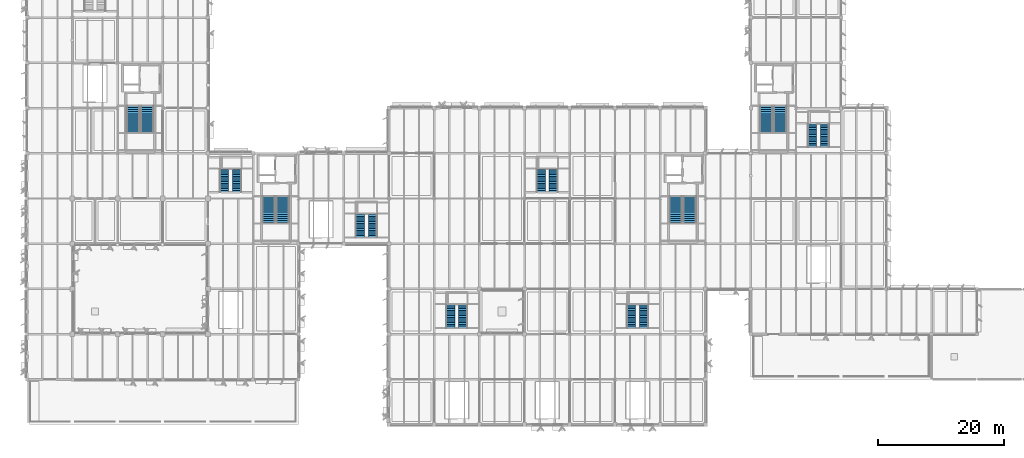
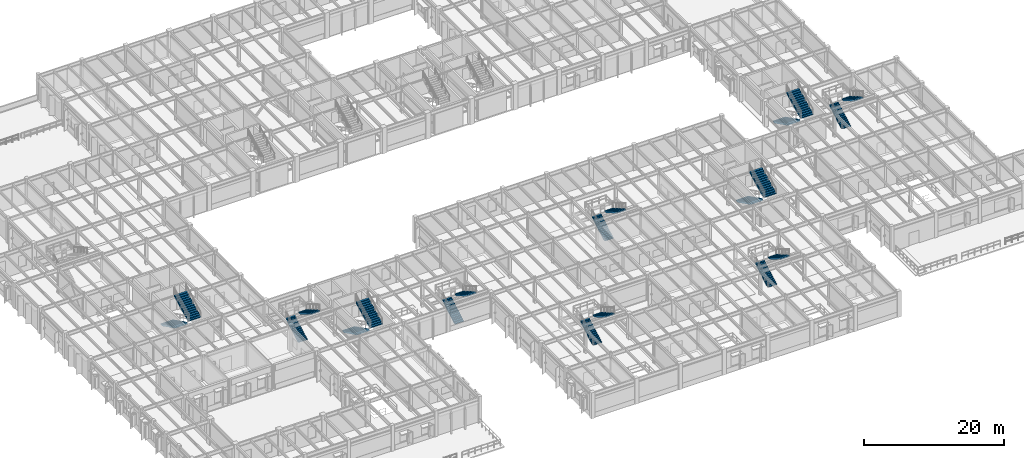
# One storey, part 43 of 92: 20 stair flights, 10 elements without a shape of their own.
"""IFC4 building model written with IfcOpenShell, lengths in metres."""

import ifcopenshell
import ifcopenshell.guid

model = None  # the IFC model being written
_history = None  # IfcOwnerHistory: only IFC2X3 demands one
_inside = {}  # id of a spatial element -> (the spatial element, [elements in it])
_under = {}  # id of a project, library or spatial element -> (it, [spatial elements below it])
_declared = {}  # id of a project -> (the project, [libraries it declares])
_typed = {}  # id of a type object -> (the type object, [elements of that type])
_made_of = {}  # id of a material, layer set ... -> (it, [elements and type objects made of it])


def new_model(schema):
    """Start an empty IFC model of exactly this schema.

    Asked for "IFC4X3", IfcOpenShell would pick the latest addendum, in which some entities
    have other attributes; the version numbers below select the first issue.
    IFC2X3 requires an IfcOwnerHistory on every rooted entity: one is made here for all.
    """
    global model, _history
    if schema == "IFC4X3":
        model = ifcopenshell.file(schema_version=(4, 3, 0, 0))
    else:
        model = ifcopenshell.file(schema=schema)
    _inside.clear()
    _under.clear()
    _declared.clear()
    _typed.clear()
    _made_of.clear()
    _history = None
    if model.schema == "IFC2X3":
        org = make("IfcOrganization", Name="unknown")
        user = make(
            "IfcPersonAndOrganization",
            ThePerson=make("IfcPerson", FamilyName="unknown"),
            TheOrganization=org,
        )
        app = make(
            "IfcApplication",
            ApplicationDeveloper=org,
            Version="unknown",
            ApplicationFullName="unknown",
            ApplicationIdentifier="unknown",
        )
        _history = make(
            "IfcOwnerHistory",
            OwningUser=user,
            OwningApplication=app,
            ChangeAction="ADDED",
            CreationDate=0,
        )
    return model


def make(cls, **values):
    """One entity of the class cls with the attributes given. An attribute that is None is left unset."""
    return model.create_entity(
        cls, **{name: value for name, value in values.items() if value is not None}
    )


def rooted(cls, **values):
    """An entity with a GlobalId (a new one), such as an element, a storey or a relation."""
    return make(cls, GlobalId=ifcopenshell.guid.new(), OwnerHistory=_history, **values)


def si_unit(unit_type, name, prefix=None):
    """IfcSIUnit, for example si_unit("LENGTHUNIT", "METRE", prefix="MILLI")."""
    return make("IfcSIUnit", UnitType=unit_type, Prefix=prefix, Name=name)


def assignment(units):
    """IfcUnitAssignment: the units of a project."""
    return None if units is None else make("IfcUnitAssignment", Units=units)


def point(xyz):
    """IfcCartesianPoint."""
    return None if xyz is None else make("IfcCartesianPoint", Coordinates=xyz)


def direction(xyz):
    """IfcDirection."""
    return None if xyz is None else make("IfcDirection", DirectionRatios=xyz)


def frame(location, z_axis=None, x_axis=None):
    """IfcAxis2Placement3D, a coordinate frame: its origin and axes. An axis left out is left unset."""
    return make(
        "IfcAxis2Placement3D",
        Location=point(location),
        Axis=direction(z_axis),
        RefDirection=direction(x_axis),
    )


def origin():
    """The frame at (0, 0, 0) with its axes left unset."""
    return frame((0.0, 0.0, 0.0))


def place(relative_to, where):
    """IfcLocalPlacement: puts the frame where relative to a parent placement (None: the world)."""
    return make(
        "IfcLocalPlacement", PlacementRelTo=relative_to, RelativePlacement=where
    )


def context(
    kind, dimensions, precision=None, world=None, true_north=None, identifier=None
):
    """IfcGeometricRepresentationContext, for example the 3D "Model" context."""
    return make(
        "IfcGeometricRepresentationContext",
        ContextIdentifier=identifier,
        ContextType=kind,
        CoordinateSpaceDimension=dimensions,
        Precision=precision,
        WorldCoordinateSystem=world,
        TrueNorth=true_north,
    )


def subcontext(parent, identifier, kind, view, scale=None):
    """IfcGeometricRepresentationSubContext, for example "Body" below "Model"."""
    return make(
        "IfcGeometricRepresentationSubContext",
        ContextIdentifier=identifier,
        ContextType=kind,
        ParentContext=parent,
        TargetScale=scale,
        TargetView=view,
    )


def project(units=None, contexts=None):
    """IfcProject with its units and contexts."""
    return rooted(
        "IfcProject",
        Name="project",
        RepresentationContexts=contexts,
        UnitsInContext=assignment(units),
    )


def spatial(cls, under=None, at=None, **own):
    """A site, building, storey or space (cls), placed at a placement, below another one or the project."""
    s = rooted(cls, ObjectPlacement=at, **own)
    if under is not None:
        _under.setdefault(under.id(), (under, []))[1].append(s)
    return s


def polyline(points):
    """IfcPolyline through the points."""
    return make("IfcPolyline", Points=[point(p) for p in points])


def outline(outer, holes=None, kind="AREA"):
    """IfcArbitraryClosedProfileDef: a profile drawn as a closed curve; with holes, ...WithVoids."""
    if holes is None:
        return make("IfcArbitraryClosedProfileDef", ProfileType=kind, OuterCurve=outer)
    return make(
        "IfcArbitraryProfileDefWithVoids",
        ProfileType=kind,
        OuterCurve=outer,
        InnerCurves=holes,
    )


def extrude(swept, where, along, depth):
    """IfcExtrudedAreaSolid: the profile swept, set in the frame where, extruded along a direction by depth."""
    return make(
        "IfcExtrudedAreaSolid",
        SweptArea=swept,
        Position=where,
        ExtrudedDirection=direction(along),
        Depth=depth,
    )


def shape(context_of_items, identifier, shape_type, items):
    """IfcShapeRepresentation: the items that make up one representation, for example the "Body"."""
    return make(
        "IfcShapeRepresentation",
        ContextOfItems=context_of_items,
        RepresentationIdentifier=identifier,
        RepresentationType=shape_type,
        Items=items,
    )


def material(Name=None, Category=None):
    """IfcMaterial."""
    return make("IfcMaterial", Name=Name, Category=Category)


def made_of(thing, what):
    """Note that an element or type object is made of a material, layer set ...; save() writes the relation."""
    if what is not None:
        _made_of.setdefault(what.id(), (what, []))[1].append(thing)
    return thing


def type_object(cls, material=None, **own):
    """A type object (cls), such as IfcWallType, which elements share."""
    return made_of(rooted(cls, **own), material)


def element(
    cls,
    number,
    at=None,
    inside=None,
    cuts=None,
    type_object=None,
    material=None,
    context=None,
    identifier="Body",
    shape_type=None,
    held_by="IfcProductDefinitionShape",
    body=None,
    shapes=None,
    **own,
):
    """One element of the class cls, such as IfcWall. Its Tag is "e" and its number.

    at: its placement. inside: the storey or other place that contains it. cuts: it is an
    opening in that element (IfcRelVoidsElement). A single representation is given by context,
    identifier, shape_type and body (its items); several are given by shapes. held_by: the class
    of the entity that holds the representations. save() writes the other relations.
    """
    e = rooted(cls, Tag="e%d" % number, ObjectPlacement=at, **own)
    if body is not None:
        shapes = [shape(context, identifier, shape_type, body)]
    if shapes is not None:
        e.Representation = make(held_by, Representations=shapes)
    if inside is not None:
        _inside.setdefault(inside.id(), (inside, []))[1].append(e)
    if cuts is not None:
        rooted(
            "IfcRelVoidsElement", RelatingBuildingElement=cuts, RelatedOpeningElement=e
        )
    if type_object is not None:
        _typed.setdefault(type_object.id(), (type_object, []))[1].append(e)
    return made_of(e, material)


def aggregate(whole, parts):
    """IfcRelAggregates: a whole, such as a stair, and the parts it consists of."""
    return rooted("IfcRelAggregates", RelatingObject=whole, RelatedObjects=parts)


def save(model, path):
    """Write the relations noted so far, then the file.

    IfcRelAggregates (storeys below a building ...), IfcRelContainedInSpatialStructure (elements
    in a storey), IfcRelDefinesByType, IfcRelAssociatesMaterial and IfcRelDeclares: one each for
    every whole, place, type object, material and project.
    """
    for whole, parts in _under.values():
        aggregate(whole, parts)
    for where, things in _inside.values():
        rooted(
            "IfcRelContainedInSpatialStructure",
            RelatedElements=things,
            RelatingStructure=where,
        )
    for kind, things in _typed.values():
        rooted("IfcRelDefinesByType", RelatedObjects=things, RelatingType=kind)
    for what, things in _made_of.values():
        rooted("IfcRelAssociatesMaterial", RelatedObjects=things, RelatingMaterial=what)
    for by, libraries in _declared.values():
        rooted("IfcRelDeclares", RelatingContext=by, RelatedDefinitions=libraries)
    model.write(path)


model = new_model("IFC4")

# Units and contexts
model_context = context("Model", 3, precision=1e-05, world=origin(), true_north=direction((0.0, 1.0)))
body_context = subcontext(model_context, "Body", "Model", "MODEL_VIEW")
ifc_project = project(units=[si_unit("LENGTHUNIT", "METRE"), si_unit("AREAUNIT", "SQUARE_METRE"), si_unit("VOLUMEUNIT", "CUBIC_METRE"), si_unit("PLANEANGLEUNIT", "RADIAN"), si_unit("MASSUNIT", "GRAM", prefix="KILO")], contexts=[model_context])

# Site, building, storey
site_placement = place(None, origin())
site = spatial("IfcSite", under=ifc_project, at=site_placement, CompositionType="ELEMENT")
building_placement = place(site_placement, origin())
building = spatial("IfcBuilding", under=site, at=building_placement, Name="Sillqori Civic Hall", CompositionType="ELEMENT")
storey_placement = place(building_placement, frame((0.0, 0.0, 5.39990234375)))
storey = spatial("IfcBuildingStorey", under=building, at=storey_placement, Name="L02", CompositionType="ELEMENT", Elevation=5.39990234375)

# Stair, stair flights
ifc_material_1 = material(Name="Concrete C35/45 (H35)", Category="concrete")
stair_type_1 = type_object("IfcStairType", Name="STR-CORE-01", PredefinedType="DOUBLE_RETURN_STAIR", material=ifc_material_1)
stair_1_placement = place(storey_placement, origin())
stair_1 = element("IfcStair", 1, at=stair_1_placement, inside=storey, type_object=stair_type_1, Name="L02 Core exit stair ST-01", PredefinedType="DOUBLE_RETURN_STAIR")
stair_flight_type_1 = type_object("IfcStairFlightType", Name="SFL-CORE-220", PredefinedType="STRAIGHT", material=ifc_material_1)
stair_flight_1_placement = place(storey_placement, frame((45.68994140625, 43.570068359375, 0.0), z_axis=(0.0, 0.0, 1.0), x_axis=(0.0, -1.0, 0.0)))
stair_flight_1 = element("IfcStairFlight", 2, at=stair_flight_1_placement, type_object=stair_flight_type_1, Name="ST-01 flight 1", NumberOfRisers=14, NumberOfTreads=13, PredefinedType="STRAIGHT", RiserHeight=0.160714286, TreadLength=0.32, context=body_context, shape_type="SweptSolid", body=[
    extrude(outline(polyline([(0.0, 0.0), (0.0, 0.16064453125), (0.320068359375, 0.16064453125), (0.320068359375, 0.321533203125), (0.639892578125, 0.321533203125), (0.639892578125, 0.482177734375), (0.9599609375, 0.482177734375), (0.9599609375, 0.642822265625), (1.280029296875, 0.642822265625), (1.280029296875, 0.803466796875), (1.60009765625, 0.803466796875), (1.60009765625, 0.96435546875), (1.919921875, 0.96435546875), (1.919921875, 1.125), (2.239990234375, 1.125), (2.239990234375, 1.28564453125), (2.56005859375, 1.28564453125), (2.56005859375, 1.446533203125), (2.8798828125, 1.446533203125), (2.8798828125, 1.607177734375), (3.199951171875, 1.607177734375), (3.199951171875, 1.767822265625), (3.52001953125, 1.767822265625), (3.52001953125, 1.928466796875), (3.840087890625, 1.928466796875), (3.840087890625, 2.08935546875), (4.159912109375, 2.08935546875), (4.159912109375, 2.25), (4.159912109375, 1.843017578125), (0.490234375, 0.0), (0.0, 0.0)])), frame((0.0, 1.030029296875, 0.0), z_axis=(0.0, -1.0, 0.0), x_axis=(1.0, 0.0, 0.0)), (0.0, 0.0, 1.0), 2.06005859375),
])
stair_flight_2_placement = place(storey_placement, frame((47.909912109375, 39.409912109375, 2.25), z_axis=(0.0, 0.0, 1.0), x_axis=(0.0, 1.0, 0.0)))
stair_flight_2 = element("IfcStairFlight", 3, at=stair_flight_2_placement, type_object=stair_flight_type_1, Name="ST-01 flight 2", NumberOfRisers=14, NumberOfTreads=13, PredefinedType="STRAIGHT", RiserHeight=0.160714286, TreadLength=0.32, context=body_context, shape_type="SweptSolid", body=[
    extrude(outline(polyline([(0.0, 0.0), (0.0, 0.16064453125), (0.320068359375, 0.16064453125), (0.320068359375, 0.321533203125), (0.639892578125, 0.321533203125), (0.639892578125, 0.482177734375), (0.9599609375, 0.482177734375), (0.9599609375, 0.642822265625), (1.280029296875, 0.642822265625), (1.280029296875, 0.803466796875), (1.60009765625, 0.803466796875), (1.60009765625, 0.96435546875), (1.919921875, 0.96435546875), (1.919921875, 1.125), (2.239990234375, 1.125), (2.239990234375, 1.28564453125), (2.56005859375, 1.28564453125), (2.56005859375, 1.446533203125), (2.8798828125, 1.446533203125), (2.8798828125, 1.607177734375), (3.199951171875, 1.607177734375), (3.199951171875, 1.767822265625), (3.52001953125, 1.767822265625), (3.52001953125, 1.928466796875), (3.840087890625, 1.928466796875), (3.840087890625, 2.08935546875), (4.159912109375, 2.08935546875), (4.159912109375, 2.25), (4.159912109375, 1.843017578125), (0.490234375, 0.0), (0.0, 0.0)])), frame((0.0, 1.030029296875, 0.0), z_axis=(0.0, -1.0, 0.0), x_axis=(1.0, 0.0, 0.0)), (0.0, 0.0, 1.0), 2.06005859375),
])
aggregate(stair_1, [stair_flight_1, stair_flight_2])

stair_type_2 = type_object("IfcStairType", Name="STR-CORE-02", PredefinedType="DOUBLE_RETURN_STAIR", material=ifc_material_1)
stair_2_placement = place(storey_placement, origin())
stair_2 = element("IfcStair", 4, at=stair_2_placement, inside=storey, type_object=stair_type_2, Name="L02 Core exit stair ST-02", PredefinedType="DOUBLE_RETURN_STAIR")
stair_flight_3_placement = place(storey_placement, frame((124.889892578125, 57.969970703125, 0.0), z_axis=(0.0, 0.0, 1.0), x_axis=(0.0, -1.0, 0.0)))
stair_flight_3 = element("IfcStairFlight", 5, at=stair_flight_3_placement, type_object=stair_flight_type_1, Name="ST-02 flight 1", NumberOfRisers=14, NumberOfTreads=13, PredefinedType="STRAIGHT", RiserHeight=0.160714286, TreadLength=0.32, context=body_context, shape_type="SweptSolid", body=[
    extrude(outline(polyline([(0.0, 0.0), (0.0, 0.16064453125), (0.320068359375, 0.16064453125), (0.320068359375, 0.321533203125), (0.639892578125, 0.321533203125), (0.639892578125, 0.482177734375), (0.9599609375, 0.482177734375), (0.9599609375, 0.642822265625), (1.280029296875, 0.642822265625), (1.280029296875, 0.803466796875), (1.60009765625, 0.803466796875), (1.60009765625, 0.96435546875), (1.919921875, 0.96435546875), (1.919921875, 1.125), (2.239990234375, 1.125), (2.239990234375, 1.28564453125), (2.56005859375, 1.28564453125), (2.56005859375, 1.446533203125), (2.8798828125, 1.446533203125), (2.8798828125, 1.607177734375), (3.199951171875, 1.607177734375), (3.199951171875, 1.767822265625), (3.52001953125, 1.767822265625), (3.52001953125, 1.928466796875), (3.840087890625, 1.928466796875), (3.840087890625, 2.08935546875), (4.159912109375, 2.08935546875), (4.159912109375, 2.25), (4.159912109375, 1.843017578125), (0.490234375, 0.0), (0.0, 0.0)])), frame((0.0, 1.030029296875, 0.0), z_axis=(0.0, -1.0, 0.0), x_axis=(1.0, 0.0, 0.0)), (0.0, 0.0, 1.0), 2.06005859375),
])
stair_flight_4_placement = place(storey_placement, frame((127.110107421875, 53.81005859375, 2.25), z_axis=(0.0, 0.0, 1.0), x_axis=(0.0, 1.0, 0.0)))
stair_flight_4 = element("IfcStairFlight", 6, at=stair_flight_4_placement, type_object=stair_flight_type_1, Name="ST-02 flight 2", NumberOfRisers=14, NumberOfTreads=13, PredefinedType="STRAIGHT", RiserHeight=0.160714286, TreadLength=0.32, context=body_context, shape_type="SweptSolid", body=[
    extrude(outline(polyline([(0.0, 0.0), (0.0, 0.16064453125), (0.320068359375, 0.16064453125), (0.320068359375, 0.321533203125), (0.639892578125, 0.321533203125), (0.639892578125, 0.482177734375), (0.9599609375, 0.482177734375), (0.9599609375, 0.642822265625), (1.280029296875, 0.642822265625), (1.280029296875, 0.803466796875), (1.60009765625, 0.803466796875), (1.60009765625, 0.96435546875), (1.919921875, 0.96435546875), (1.919921875, 1.125), (2.239990234375, 1.125), (2.239990234375, 1.28564453125), (2.56005859375, 1.28564453125), (2.56005859375, 1.446533203125), (2.8798828125, 1.446533203125), (2.8798828125, 1.607177734375), (3.199951171875, 1.607177734375), (3.199951171875, 1.767822265625), (3.52001953125, 1.767822265625), (3.52001953125, 1.928466796875), (3.840087890625, 1.928466796875), (3.840087890625, 2.08935546875), (4.159912109375, 2.08935546875), (4.159912109375, 2.25), (4.159912109375, 1.843017578125), (0.490234375, 0.0), (0.0, 0.0)])), frame((0.0, 1.030029296875, 0.0), z_axis=(0.0, -1.0, 0.0), x_axis=(1.0, 0.0, 0.0)), (0.0, 0.0, 1.0), 2.06005859375),
])
aggregate(stair_2, [stair_flight_3, stair_flight_4])

stair_type_3 = type_object("IfcStairType", Name="STR-CORE-03", PredefinedType="DOUBLE_RETURN_STAIR", material=ifc_material_1)
stair_3_placement = place(storey_placement, origin())
stair_3 = element("IfcStair", 7, at=stair_3_placement, inside=storey, type_object=stair_type_3, Name="L02 Core exit stair ST-03", PredefinedType="DOUBLE_RETURN_STAIR")
stair_flight_5_placement = place(storey_placement, frame((110.489990234375, 43.570068359375, 0.0), z_axis=(0.0, 0.0, 1.0), x_axis=(0.0, -1.0, 0.0)))
stair_flight_5 = element("IfcStairFlight", 8, at=stair_flight_5_placement, type_object=stair_flight_type_1, Name="ST-03 flight 1", NumberOfRisers=14, NumberOfTreads=13, PredefinedType="STRAIGHT", RiserHeight=0.160714286, TreadLength=0.32, context=body_context, shape_type="SweptSolid", body=[
    extrude(outline(polyline([(0.0, 0.0), (0.0, 0.16064453125), (0.320068359375, 0.16064453125), (0.320068359375, 0.321533203125), (0.639892578125, 0.321533203125), (0.639892578125, 0.482177734375), (0.9599609375, 0.482177734375), (0.9599609375, 0.642822265625), (1.280029296875, 0.642822265625), (1.280029296875, 0.803466796875), (1.60009765625, 0.803466796875), (1.60009765625, 0.96435546875), (1.919921875, 0.96435546875), (1.919921875, 1.125), (2.239990234375, 1.125), (2.239990234375, 1.28564453125), (2.56005859375, 1.28564453125), (2.56005859375, 1.446533203125), (2.8798828125, 1.446533203125), (2.8798828125, 1.607177734375), (3.199951171875, 1.607177734375), (3.199951171875, 1.767822265625), (3.52001953125, 1.767822265625), (3.52001953125, 1.928466796875), (3.840087890625, 1.928466796875), (3.840087890625, 2.08935546875), (4.159912109375, 2.08935546875), (4.159912109375, 2.25), (4.159912109375, 1.843017578125), (0.490234375, 0.0), (0.0, 0.0)])), frame((0.0, 1.030029296875, 0.0), z_axis=(0.0, -1.0, 0.0), x_axis=(1.0, 0.0, 0.0)), (0.0, 0.0, 1.0), 2.06005859375),
])
stair_flight_6_placement = place(storey_placement, frame((112.7099609375, 39.409912109375, 2.25), z_axis=(0.0, 0.0, 1.0), x_axis=(0.0, 1.0, 0.0)))
stair_flight_6 = element("IfcStairFlight", 9, at=stair_flight_6_placement, type_object=stair_flight_type_1, Name="ST-03 flight 2", NumberOfRisers=14, NumberOfTreads=13, PredefinedType="STRAIGHT", RiserHeight=0.160714286, TreadLength=0.32, context=body_context, shape_type="SweptSolid", body=[
    extrude(outline(polyline([(0.0, 0.0), (0.0, 0.16064453125), (0.320068359375, 0.16064453125), (0.320068359375, 0.321533203125), (0.639892578125, 0.321533203125), (0.639892578125, 0.482177734375), (0.9599609375, 0.482177734375), (0.9599609375, 0.642822265625), (1.280029296875, 0.642822265625), (1.280029296875, 0.803466796875), (1.60009765625, 0.803466796875), (1.60009765625, 0.96435546875), (1.919921875, 0.96435546875), (1.919921875, 1.125), (2.239990234375, 1.125), (2.239990234375, 1.28564453125), (2.56005859375, 1.28564453125), (2.56005859375, 1.446533203125), (2.8798828125, 1.446533203125), (2.8798828125, 1.607177734375), (3.199951171875, 1.607177734375), (3.199951171875, 1.767822265625), (3.52001953125, 1.767822265625), (3.52001953125, 1.928466796875), (3.840087890625, 1.928466796875), (3.840087890625, 2.08935546875), (4.159912109375, 2.08935546875), (4.159912109375, 2.25), (4.159912109375, 1.843017578125), (0.490234375, 0.0), (0.0, 0.0)])), frame((0.0, 1.030029296875, 0.0), z_axis=(0.0, -1.0, 0.0), x_axis=(1.0, 0.0, 0.0)), (0.0, 0.0, 1.0), 2.06005859375),
])
aggregate(stair_3, [stair_flight_5, stair_flight_6])

stair_type_4 = type_object("IfcStairType", Name="STR-CORE-04", PredefinedType="DOUBLE_RETURN_STAIR", material=ifc_material_1)
stair_4_placement = place(storey_placement, origin())
stair_4 = element("IfcStair", 10, at=stair_4_placement, inside=storey, type_object=stair_type_4, Name="L02 Core exit stair ST-04", PredefinedType="DOUBLE_RETURN_STAIR")
stair_flight_7_placement = place(storey_placement, frame((24.090087890625, 57.969970703125, 0.0), z_axis=(0.0, 0.0, 1.0), x_axis=(0.0, -1.0, 0.0)))
stair_flight_7 = element("IfcStairFlight", 11, at=stair_flight_7_placement, type_object=stair_flight_type_1, Name="ST-04 flight 1", NumberOfRisers=14, NumberOfTreads=13, PredefinedType="STRAIGHT", RiserHeight=0.160714286, TreadLength=0.32, context=body_context, shape_type="SweptSolid", body=[
    extrude(outline(polyline([(0.0, 0.0), (0.0, 0.16064453125), (0.320068359375, 0.16064453125), (0.320068359375, 0.321533203125), (0.639892578125, 0.321533203125), (0.639892578125, 0.482177734375), (0.9599609375, 0.482177734375), (0.9599609375, 0.642822265625), (1.280029296875, 0.642822265625), (1.280029296875, 0.803466796875), (1.60009765625, 0.803466796875), (1.60009765625, 0.96435546875), (1.919921875, 0.96435546875), (1.919921875, 1.125), (2.239990234375, 1.125), (2.239990234375, 1.28564453125), (2.56005859375, 1.28564453125), (2.56005859375, 1.446533203125), (2.8798828125, 1.446533203125), (2.8798828125, 1.607177734375), (3.199951171875, 1.607177734375), (3.199951171875, 1.767822265625), (3.52001953125, 1.767822265625), (3.52001953125, 1.928466796875), (3.840087890625, 1.928466796875), (3.840087890625, 2.08935546875), (4.159912109375, 2.08935546875), (4.159912109375, 2.25), (4.159912109375, 1.843017578125), (0.490234375, 0.0), (0.0, 0.0)])), frame((0.0, 1.030029296875, 0.0), z_axis=(0.0, -1.0, 0.0), x_axis=(1.0, 0.0, 0.0)), (0.0, 0.0, 1.0), 2.06005859375),
])
stair_flight_8_placement = place(storey_placement, frame((26.31005859375, 53.81005859375, 2.25), z_axis=(0.0, 0.0, 1.0), x_axis=(0.0, 1.0, 0.0)))
stair_flight_8 = element("IfcStairFlight", 12, at=stair_flight_8_placement, type_object=stair_flight_type_1, Name="ST-04 flight 2", NumberOfRisers=14, NumberOfTreads=13, PredefinedType="STRAIGHT", RiserHeight=0.160714286, TreadLength=0.32, context=body_context, shape_type="SweptSolid", body=[
    extrude(outline(polyline([(0.0, 0.0), (0.0, 0.16064453125), (0.320068359375, 0.16064453125), (0.320068359375, 0.321533203125), (0.639892578125, 0.321533203125), (0.639892578125, 0.482177734375), (0.9599609375, 0.482177734375), (0.9599609375, 0.642822265625), (1.280029296875, 0.642822265625), (1.280029296875, 0.803466796875), (1.60009765625, 0.803466796875), (1.60009765625, 0.96435546875), (1.919921875, 0.96435546875), (1.919921875, 1.125), (2.239990234375, 1.125), (2.239990234375, 1.28564453125), (2.56005859375, 1.28564453125), (2.56005859375, 1.446533203125), (2.8798828125, 1.446533203125), (2.8798828125, 1.607177734375), (3.199951171875, 1.607177734375), (3.199951171875, 1.767822265625), (3.52001953125, 1.767822265625), (3.52001953125, 1.928466796875), (3.840087890625, 1.928466796875), (3.840087890625, 2.08935546875), (4.159912109375, 2.08935546875), (4.159912109375, 2.25), (4.159912109375, 1.843017578125), (0.490234375, 0.0), (0.0, 0.0)])), frame((0.0, 1.030029296875, 0.0), z_axis=(0.0, -1.0, 0.0), x_axis=(1.0, 0.0, 0.0)), (0.0, 0.0, 1.0), 2.06005859375),
])
aggregate(stair_4, [stair_flight_7, stair_flight_8])

ifc_material_2 = material(Name="Steel ASTM A992 and Honed Limestone Treads", Category="masonry")
stair_type_5 = type_object("IfcStairType", Name="STR-MON-450", PredefinedType="STRAIGHT_RUN_STAIR", material=ifc_material_2)
stair_5_placement = place(storey_placement, origin())
stair_5 = element("IfcStair", 13, at=stair_5_placement, inside=storey, type_object=stair_type_5, Name="Wedge Atrium West Gallery Stair L02-L03", PredefinedType="STRAIGHT_RUN_STAIR")
stair_flight_type_2 = type_object("IfcStairFlightType", Name="SFL-MON-165", PredefinedType="STRAIGHT", material=ifc_material_1)
stair_flight_9_placement = place(storey_placement, frame((74.56494140625, 22.60009765625, 0.0), z_axis=(0.0, 0.0, 1.0), x_axis=(0.0, 1.0, 0.0)))
stair_flight_9 = element("IfcStairFlight", 14, at=stair_flight_9_placement, type_object=stair_flight_type_2, Name="MS-02 flight 1", NumberOfRisers=14, NumberOfTreads=13, PredefinedType="STRAIGHT", RiserHeight=0.160714, TreadLength=0.28, context=body_context, shape_type="SweptSolid", body=[
    extrude(outline(polyline([(0.0, 0.0), (0.0, 0.16064453125), (0.280029296875, 0.16064453125), (0.280029296875, 0.321533203125), (0.56005859375, 0.321533203125), (0.56005859375, 0.482177734375), (0.840087890625, 0.482177734375), (0.840087890625, 0.642822265625), (1.1201171875, 0.642822265625), (1.1201171875, 0.803466796875), (1.39990234375, 0.803466796875), (1.39990234375, 0.96435546875), (1.679931640625, 0.96435546875), (1.679931640625, 1.125), (1.9599609375, 1.125), (1.9599609375, 1.28564453125), (2.239990234375, 1.28564453125), (2.239990234375, 1.446533203125), (2.52001953125, 1.446533203125), (2.52001953125, 1.607177734375), (2.800048828125, 1.607177734375), (2.800048828125, 1.767822265625), (3.080078125, 1.767822265625), (3.080078125, 1.928466796875), (3.360107421875, 1.928466796875), (3.360107421875, 2.08935546875), (3.639892578125, 2.08935546875), (3.639892578125, 2.25), (3.639892578125, 1.858642578125), (0.401611328125, 0.0), (0.0, 0.0)])), frame((0.0, 0.72509765625, 0.0), z_axis=(0.0, -1.0, 0.0), x_axis=(1.0, 0.0, 0.0)), (0.0, 0.0, 1.0), 1.449951171875),
])
stair_flight_10_placement = place(storey_placement, frame((76.635009765625, 26.239990234375, 2.25), z_axis=(0.0, 0.0, 1.0), x_axis=(0.0, -1.0, 0.0)))
stair_flight_10 = element("IfcStairFlight", 15, at=stair_flight_10_placement, type_object=stair_flight_type_2, Name="MS-02 flight 2", NumberOfRisers=14, NumberOfTreads=13, PredefinedType="STRAIGHT", RiserHeight=0.160714, TreadLength=0.28, context=body_context, shape_type="SweptSolid", body=[
    extrude(outline(polyline([(0.0, 0.0), (0.0, 0.16064453125), (0.280029296875, 0.16064453125), (0.280029296875, 0.321533203125), (0.56005859375, 0.321533203125), (0.56005859375, 0.482177734375), (0.840087890625, 0.482177734375), (0.840087890625, 0.642822265625), (1.1201171875, 0.642822265625), (1.1201171875, 0.803466796875), (1.39990234375, 0.803466796875), (1.39990234375, 0.96435546875), (1.679931640625, 0.96435546875), (1.679931640625, 1.125), (1.9599609375, 1.125), (1.9599609375, 1.28564453125), (2.239990234375, 1.28564453125), (2.239990234375, 1.446533203125), (2.52001953125, 1.446533203125), (2.52001953125, 1.607177734375), (2.800048828125, 1.607177734375), (2.800048828125, 1.767822265625), (3.080078125, 1.767822265625), (3.080078125, 1.928466796875), (3.360107421875, 1.928466796875), (3.360107421875, 2.08935546875), (3.639892578125, 2.08935546875), (3.639892578125, 2.25), (3.639892578125, 1.858642578125), (0.401611328125, 0.0), (0.0, 0.0)])), frame((0.0, 0.72509765625, 0.0), z_axis=(0.0, -1.0, 0.0), x_axis=(1.0, 0.0, 0.0)), (0.0, 0.0, 1.0), 1.449951171875),
])
aggregate(stair_5, [stair_flight_9, stair_flight_10])

stair_6_placement = place(storey_placement, origin())
stair_6 = element("IfcStair", 16, at=stair_6_placement, inside=storey, type_object=stair_type_5, Name="Wedge Atrium East Gallery Stair L02-L03", PredefinedType="STRAIGHT_RUN_STAIR")
stair_flight_11_placement = place(storey_placement, frame((103.364990234375, 22.60009765625, 0.0), z_axis=(0.0, 0.0, 1.0), x_axis=(0.0, 1.0, 0.0)))
stair_flight_11 = element("IfcStairFlight", 17, at=stair_flight_11_placement, type_object=stair_flight_type_2, Name="MS-05 flight 1", NumberOfRisers=14, NumberOfTreads=13, PredefinedType="STRAIGHT", RiserHeight=0.160714, TreadLength=0.28, context=body_context, shape_type="SweptSolid", body=[
    extrude(outline(polyline([(0.0, 0.0), (0.0, 0.16064453125), (0.280029296875, 0.16064453125), (0.280029296875, 0.321533203125), (0.56005859375, 0.321533203125), (0.56005859375, 0.482177734375), (0.840087890625, 0.482177734375), (0.840087890625, 0.642822265625), (1.1201171875, 0.642822265625), (1.1201171875, 0.803466796875), (1.39990234375, 0.803466796875), (1.39990234375, 0.96435546875), (1.679931640625, 0.96435546875), (1.679931640625, 1.125), (1.9599609375, 1.125), (1.9599609375, 1.28564453125), (2.239990234375, 1.28564453125), (2.239990234375, 1.446533203125), (2.52001953125, 1.446533203125), (2.52001953125, 1.607177734375), (2.800048828125, 1.607177734375), (2.800048828125, 1.767822265625), (3.080078125, 1.767822265625), (3.080078125, 1.928466796875), (3.360107421875, 1.928466796875), (3.360107421875, 2.08935546875), (3.639892578125, 2.08935546875), (3.639892578125, 2.25), (3.639892578125, 1.858642578125), (0.401611328125, 0.0), (0.0, 0.0)])), frame((0.0, 0.72509765625, 0.0), z_axis=(0.0, -1.0, 0.0), x_axis=(1.0, 0.0, 0.0)), (0.0, 0.0, 1.0), 1.449951171875),
])
stair_flight_12_placement = place(storey_placement, frame((105.43505859375, 26.239990234375, 2.25), z_axis=(0.0, 0.0, 1.0), x_axis=(0.0, -1.0, 0.0)))
stair_flight_12 = element("IfcStairFlight", 18, at=stair_flight_12_placement, type_object=stair_flight_type_2, Name="MS-05 flight 2", NumberOfRisers=14, NumberOfTreads=13, PredefinedType="STRAIGHT", RiserHeight=0.160714, TreadLength=0.28, context=body_context, shape_type="SweptSolid", body=[
    extrude(outline(polyline([(0.0, 0.0), (0.0, 0.16064453125), (0.280029296875, 0.16064453125), (0.280029296875, 0.321533203125), (0.56005859375, 0.321533203125), (0.56005859375, 0.482177734375), (0.840087890625, 0.482177734375), (0.840087890625, 0.642822265625), (1.1201171875, 0.642822265625), (1.1201171875, 0.803466796875), (1.39990234375, 0.803466796875), (1.39990234375, 0.96435546875), (1.679931640625, 0.96435546875), (1.679931640625, 1.125), (1.9599609375, 1.125), (1.9599609375, 1.28564453125), (2.239990234375, 1.28564453125), (2.239990234375, 1.446533203125), (2.52001953125, 1.446533203125), (2.52001953125, 1.607177734375), (2.800048828125, 1.607177734375), (2.800048828125, 1.767822265625), (3.080078125, 1.767822265625), (3.080078125, 1.928466796875), (3.360107421875, 1.928466796875), (3.360107421875, 2.08935546875), (3.639892578125, 2.08935546875), (3.639892578125, 2.25), (3.639892578125, 1.858642578125), (0.401611328125, 0.0), (0.0, 0.0)])), frame((0.0, 0.72509765625, 0.0), z_axis=(0.0, -1.0, 0.0), x_axis=(1.0, 0.0, 0.0)), (0.0, 0.0, 1.0), 1.449951171875),
])
aggregate(stair_6, [stair_flight_11, stair_flight_12])

stair_7_placement = place(storey_placement, origin())
stair_7 = element("IfcStair", 19, at=stair_7_placement, inside=storey, type_object=stair_type_5, Name="Citizens Hall North Gallery Stair L02-L03", PredefinedType="STRAIGHT_RUN_STAIR")
stair_flight_13_placement = place(storey_placement, frame((88.965087890625, 44.199951171875, 0.0), z_axis=(0.0, 0.0, 1.0), x_axis=(0.0, 1.0, 0.0)))
stair_flight_13 = element("IfcStairFlight", 20, at=stair_flight_13_placement, type_object=stair_flight_type_2, Name="MS-08 flight 1", NumberOfRisers=14, NumberOfTreads=13, PredefinedType="STRAIGHT", RiserHeight=0.160714, TreadLength=0.28, context=body_context, shape_type="SweptSolid", body=[
    extrude(outline(polyline([(0.0, 0.0), (0.0, 0.16064453125), (0.280029296875, 0.16064453125), (0.280029296875, 0.321533203125), (0.56005859375, 0.321533203125), (0.56005859375, 0.482177734375), (0.840087890625, 0.482177734375), (0.840087890625, 0.642822265625), (1.1201171875, 0.642822265625), (1.1201171875, 0.803466796875), (1.39990234375, 0.803466796875), (1.39990234375, 0.96435546875), (1.679931640625, 0.96435546875), (1.679931640625, 1.125), (1.9599609375, 1.125), (1.9599609375, 1.28564453125), (2.239990234375, 1.28564453125), (2.239990234375, 1.446533203125), (2.52001953125, 1.446533203125), (2.52001953125, 1.607177734375), (2.800048828125, 1.607177734375), (2.800048828125, 1.767822265625), (3.080078125, 1.767822265625), (3.080078125, 1.928466796875), (3.360107421875, 1.928466796875), (3.360107421875, 2.08935546875), (3.639892578125, 2.08935546875), (3.639892578125, 2.25), (3.639892578125, 1.858642578125), (0.401611328125, 0.0), (0.0, 0.0)])), frame((0.0, 0.72509765625, 0.0), z_axis=(0.0, -1.0, 0.0), x_axis=(1.0, 0.0, 0.0)), (0.0, 0.0, 1.0), 1.449951171875),
])
stair_flight_14_placement = place(storey_placement, frame((91.034912109375, 47.840087890625, 2.25), z_axis=(0.0, 0.0, 1.0), x_axis=(0.0, -1.0, 0.0)))
stair_flight_14 = element("IfcStairFlight", 21, at=stair_flight_14_placement, type_object=stair_flight_type_2, Name="MS-08 flight 2", NumberOfRisers=14, NumberOfTreads=13, PredefinedType="STRAIGHT", RiserHeight=0.160714, TreadLength=0.28, context=body_context, shape_type="SweptSolid", body=[
    extrude(outline(polyline([(0.0, 0.0), (0.0, 0.16064453125), (0.280029296875, 0.16064453125), (0.280029296875, 0.321533203125), (0.56005859375, 0.321533203125), (0.56005859375, 0.482177734375), (0.840087890625, 0.482177734375), (0.840087890625, 0.642822265625), (1.1201171875, 0.642822265625), (1.1201171875, 0.803466796875), (1.39990234375, 0.803466796875), (1.39990234375, 0.96435546875), (1.679931640625, 0.96435546875), (1.679931640625, 1.125), (1.9599609375, 1.125), (1.9599609375, 1.28564453125), (2.239990234375, 1.28564453125), (2.239990234375, 1.446533203125), (2.52001953125, 1.446533203125), (2.52001953125, 1.607177734375), (2.800048828125, 1.607177734375), (2.800048828125, 1.767822265625), (3.080078125, 1.767822265625), (3.080078125, 1.928466796875), (3.360107421875, 1.928466796875), (3.360107421875, 2.08935546875), (3.639892578125, 2.08935546875), (3.639892578125, 2.25), (3.639892578125, 1.858642578125), (0.401611328125, 0.0), (0.0, 0.0)])), frame((0.0, 0.72509765625, 0.0), z_axis=(0.0, -1.0, 0.0), x_axis=(1.0, 0.0, 0.0)), (0.0, 0.0, 1.0), 1.449951171875),
])
aggregate(stair_7, [stair_flight_13, stair_flight_14])

stair_8_placement = place(storey_placement, origin())
stair_8 = element("IfcStair", 22, at=stair_8_placement, inside=storey, type_object=stair_type_5, Name="Council Gallery Ceremonial Stair L02-L03", PredefinedType="STRAIGHT_RUN_STAIR")
stair_flight_15_placement = place(storey_placement, frame((38.56494140625, 44.199951171875, 0.0), z_axis=(0.0, 0.0, 1.0), x_axis=(0.0, 1.0, 0.0)))
stair_flight_15 = element("IfcStairFlight", 23, at=stair_flight_15_placement, type_object=stair_flight_type_2, Name="MS-10 flight 1", NumberOfRisers=14, NumberOfTreads=13, PredefinedType="STRAIGHT", RiserHeight=0.160714, TreadLength=0.28, context=body_context, shape_type="SweptSolid", body=[
    extrude(outline(polyline([(0.0, 0.0), (0.0, 0.16064453125), (0.280029296875, 0.16064453125), (0.280029296875, 0.321533203125), (0.56005859375, 0.321533203125), (0.56005859375, 0.482177734375), (0.840087890625, 0.482177734375), (0.840087890625, 0.642822265625), (1.1201171875, 0.642822265625), (1.1201171875, 0.803466796875), (1.39990234375, 0.803466796875), (1.39990234375, 0.96435546875), (1.679931640625, 0.96435546875), (1.679931640625, 1.125), (1.9599609375, 1.125), (1.9599609375, 1.28564453125), (2.239990234375, 1.28564453125), (2.239990234375, 1.446533203125), (2.52001953125, 1.446533203125), (2.52001953125, 1.607177734375), (2.800048828125, 1.607177734375), (2.800048828125, 1.767822265625), (3.080078125, 1.767822265625), (3.080078125, 1.928466796875), (3.360107421875, 1.928466796875), (3.360107421875, 2.08935546875), (3.639892578125, 2.08935546875), (3.639892578125, 2.25), (3.639892578125, 1.858642578125), (0.401611328125, 0.0), (0.0, 0.0)])), frame((0.0, 0.72509765625, 0.0), z_axis=(0.0, -1.0, 0.0), x_axis=(1.0, 0.0, 0.0)), (0.0, 0.0, 1.0), 1.449951171875),
])
stair_flight_16_placement = place(storey_placement, frame((40.635009765625, 47.840087890625, 2.25), z_axis=(0.0, 0.0, 1.0), x_axis=(0.0, -1.0, 0.0)))
stair_flight_16 = element("IfcStairFlight", 24, at=stair_flight_16_placement, type_object=stair_flight_type_2, Name="MS-10 flight 2", NumberOfRisers=14, NumberOfTreads=13, PredefinedType="STRAIGHT", RiserHeight=0.160714, TreadLength=0.28, context=body_context, shape_type="SweptSolid", body=[
    extrude(outline(polyline([(0.0, 0.0), (0.0, 0.16064453125), (0.280029296875, 0.16064453125), (0.280029296875, 0.321533203125), (0.56005859375, 0.321533203125), (0.56005859375, 0.482177734375), (0.840087890625, 0.482177734375), (0.840087890625, 0.642822265625), (1.1201171875, 0.642822265625), (1.1201171875, 0.803466796875), (1.39990234375, 0.803466796875), (1.39990234375, 0.96435546875), (1.679931640625, 0.96435546875), (1.679931640625, 1.125), (1.9599609375, 1.125), (1.9599609375, 1.28564453125), (2.239990234375, 1.28564453125), (2.239990234375, 1.446533203125), (2.52001953125, 1.446533203125), (2.52001953125, 1.607177734375), (2.800048828125, 1.607177734375), (2.800048828125, 1.767822265625), (3.080078125, 1.767822265625), (3.080078125, 1.928466796875), (3.360107421875, 1.928466796875), (3.360107421875, 2.08935546875), (3.639892578125, 2.08935546875), (3.639892578125, 2.25), (3.639892578125, 1.858642578125), (0.401611328125, 0.0), (0.0, 0.0)])), frame((0.0, 0.72509765625, 0.0), z_axis=(0.0, -1.0, 0.0), x_axis=(1.0, 0.0, 0.0)), (0.0, 0.0, 1.0), 1.449951171875),
])
aggregate(stair_8, [stair_flight_15, stair_flight_16])

stair_9_placement = place(storey_placement, origin())
stair_9 = element("IfcStair", 25, at=stair_9_placement, inside=storey, type_object=stair_type_5, Name="Council Link Gallery Stair L02-L03", PredefinedType="STRAIGHT_RUN_STAIR")
stair_flight_17_placement = place(storey_placement, frame((60.1650390625, 37.0, 0.0), z_axis=(0.0, 0.0, 1.0), x_axis=(0.0, 1.0, 0.0)))
stair_flight_17 = element("IfcStairFlight", 26, at=stair_flight_17_placement, type_object=stair_flight_type_2, Name="MS-12 flight 1", NumberOfRisers=14, NumberOfTreads=13, PredefinedType="STRAIGHT", RiserHeight=0.160714, TreadLength=0.28, context=body_context, shape_type="SweptSolid", body=[
    extrude(outline(polyline([(0.0, 0.0), (0.0, 0.16064453125), (0.280029296875, 0.16064453125), (0.280029296875, 0.321533203125), (0.56005859375, 0.321533203125), (0.56005859375, 0.482177734375), (0.840087890625, 0.482177734375), (0.840087890625, 0.642822265625), (1.1201171875, 0.642822265625), (1.1201171875, 0.803466796875), (1.39990234375, 0.803466796875), (1.39990234375, 0.96435546875), (1.679931640625, 0.96435546875), (1.679931640625, 1.125), (1.9599609375, 1.125), (1.9599609375, 1.28564453125), (2.239990234375, 1.28564453125), (2.239990234375, 1.446533203125), (2.52001953125, 1.446533203125), (2.52001953125, 1.607177734375), (2.800048828125, 1.607177734375), (2.800048828125, 1.767822265625), (3.080078125, 1.767822265625), (3.080078125, 1.928466796875), (3.360107421875, 1.928466796875), (3.360107421875, 2.08935546875), (3.639892578125, 2.08935546875), (3.639892578125, 2.25), (3.639892578125, 1.858642578125), (0.401611328125, 0.0), (0.0, 0.0)])), frame((0.0, 0.72509765625, 0.0), z_axis=(0.0, -1.0, 0.0), x_axis=(1.0, 0.0, 0.0)), (0.0, 0.0, 1.0), 1.449951171875),
])
stair_flight_18_placement = place(storey_placement, frame((62.235107421875, 40.639892578125, 2.25), z_axis=(0.0, 0.0, 1.0), x_axis=(0.0, -1.0, 0.0)))
stair_flight_18 = element("IfcStairFlight", 27, at=stair_flight_18_placement, type_object=stair_flight_type_2, Name="MS-12 flight 2", NumberOfRisers=14, NumberOfTreads=13, PredefinedType="STRAIGHT", RiserHeight=0.160714, TreadLength=0.28, context=body_context, shape_type="SweptSolid", body=[
    extrude(outline(polyline([(0.0, 0.0), (0.0, 0.16064453125), (0.280029296875, 0.16064453125), (0.280029296875, 0.321533203125), (0.56005859375, 0.321533203125), (0.56005859375, 0.482177734375), (0.840087890625, 0.482177734375), (0.840087890625, 0.642822265625), (1.1201171875, 0.642822265625), (1.1201171875, 0.803466796875), (1.39990234375, 0.803466796875), (1.39990234375, 0.96435546875), (1.679931640625, 0.96435546875), (1.679931640625, 1.125), (1.9599609375, 1.125), (1.9599609375, 1.28564453125), (2.239990234375, 1.28564453125), (2.239990234375, 1.446533203125), (2.52001953125, 1.446533203125), (2.52001953125, 1.607177734375), (2.800048828125, 1.607177734375), (2.800048828125, 1.767822265625), (3.080078125, 1.767822265625), (3.080078125, 1.928466796875), (3.360107421875, 1.928466796875), (3.360107421875, 2.08935546875), (3.639892578125, 2.08935546875), (3.639892578125, 2.25), (3.639892578125, 1.858642578125), (0.401611328125, 0.0), (0.0, 0.0)])), frame((0.0, 0.72509765625, 0.0), z_axis=(0.0, -1.0, 0.0), x_axis=(1.0, 0.0, 0.0)), (0.0, 0.0, 1.0), 1.449951171875),
])
aggregate(stair_9, [stair_flight_17, stair_flight_18])

stair_10_placement = place(storey_placement, origin())
stair_10 = element("IfcStair", 28, at=stair_10_placement, inside=storey, type_object=stair_type_5, Name="Members Library Stacks Stair L02-L03", PredefinedType="STRAIGHT_RUN_STAIR")
stair_flight_19_placement = place(storey_placement, frame((132.1650390625, 51.39990234375, 0.0), z_axis=(0.0, 0.0, 1.0), x_axis=(0.0, 1.0, 0.0)))
stair_flight_19 = element("IfcStairFlight", 29, at=stair_flight_19_placement, type_object=stair_flight_type_2, Name="MS-17 flight 1", NumberOfRisers=14, NumberOfTreads=13, PredefinedType="STRAIGHT", RiserHeight=0.160714, TreadLength=0.28, context=body_context, shape_type="SweptSolid", body=[
    extrude(outline(polyline([(0.0, 0.0), (0.0, 0.16064453125), (0.280029296875, 0.16064453125), (0.280029296875, 0.321533203125), (0.56005859375, 0.321533203125), (0.56005859375, 0.482177734375), (0.840087890625, 0.482177734375), (0.840087890625, 0.642822265625), (1.1201171875, 0.642822265625), (1.1201171875, 0.803466796875), (1.39990234375, 0.803466796875), (1.39990234375, 0.96435546875), (1.679931640625, 0.96435546875), (1.679931640625, 1.125), (1.9599609375, 1.125), (1.9599609375, 1.28564453125), (2.239990234375, 1.28564453125), (2.239990234375, 1.446533203125), (2.52001953125, 1.446533203125), (2.52001953125, 1.607177734375), (2.800048828125, 1.607177734375), (2.800048828125, 1.767822265625), (3.080078125, 1.767822265625), (3.080078125, 1.928466796875), (3.360107421875, 1.928466796875), (3.360107421875, 2.08935546875), (3.639892578125, 2.08935546875), (3.639892578125, 2.25), (3.639892578125, 1.858642578125), (0.401611328125, 0.0), (0.0, 0.0)])), frame((0.0, 0.72509765625, 0.0), z_axis=(0.0, -1.0, 0.0), x_axis=(1.0, 0.0, 0.0)), (0.0, 0.0, 1.0), 1.449951171875),
])
stair_flight_20_placement = place(storey_placement, frame((134.235107421875, 55.0400390625, 2.25), z_axis=(0.0, 0.0, 1.0), x_axis=(0.0, -1.0, 0.0)))
stair_flight_20 = element("IfcStairFlight", 30, at=stair_flight_20_placement, type_object=stair_flight_type_2, Name="MS-17 flight 2", NumberOfRisers=14, NumberOfTreads=13, PredefinedType="STRAIGHT", RiserHeight=0.160714, TreadLength=0.28, context=body_context, shape_type="SweptSolid", body=[
    extrude(outline(polyline([(0.0, 0.0), (0.0, 0.16064453125), (0.280029296875, 0.16064453125), (0.280029296875, 0.321533203125), (0.56005859375, 0.321533203125), (0.56005859375, 0.482177734375), (0.840087890625, 0.482177734375), (0.840087890625, 0.642822265625), (1.1201171875, 0.642822265625), (1.1201171875, 0.803466796875), (1.39990234375, 0.803466796875), (1.39990234375, 0.96435546875), (1.679931640625, 0.96435546875), (1.679931640625, 1.125), (1.9599609375, 1.125), (1.9599609375, 1.28564453125), (2.239990234375, 1.28564453125), (2.239990234375, 1.446533203125), (2.52001953125, 1.446533203125), (2.52001953125, 1.607177734375), (2.800048828125, 1.607177734375), (2.800048828125, 1.767822265625), (3.080078125, 1.767822265625), (3.080078125, 1.928466796875), (3.360107421875, 1.928466796875), (3.360107421875, 2.08935546875), (3.639892578125, 2.08935546875), (3.639892578125, 2.25), (3.639892578125, 1.858642578125), (0.401611328125, 0.0), (0.0, 0.0)])), frame((0.0, 0.72509765625, 0.0), z_axis=(0.0, -1.0, 0.0), x_axis=(1.0, 0.0, 0.0)), (0.0, 0.0, 1.0), 1.449951171875),
])
aggregate(stair_10, [stair_flight_19, stair_flight_20])

save(model, "model.ifc")
